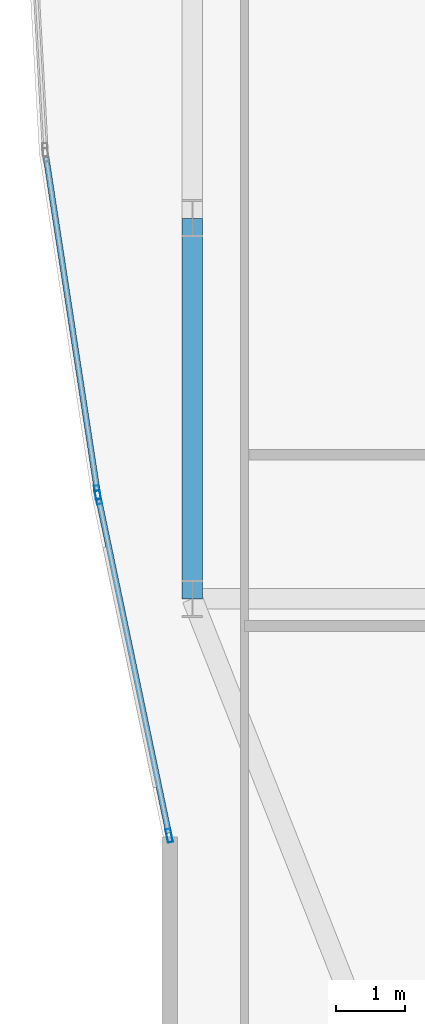
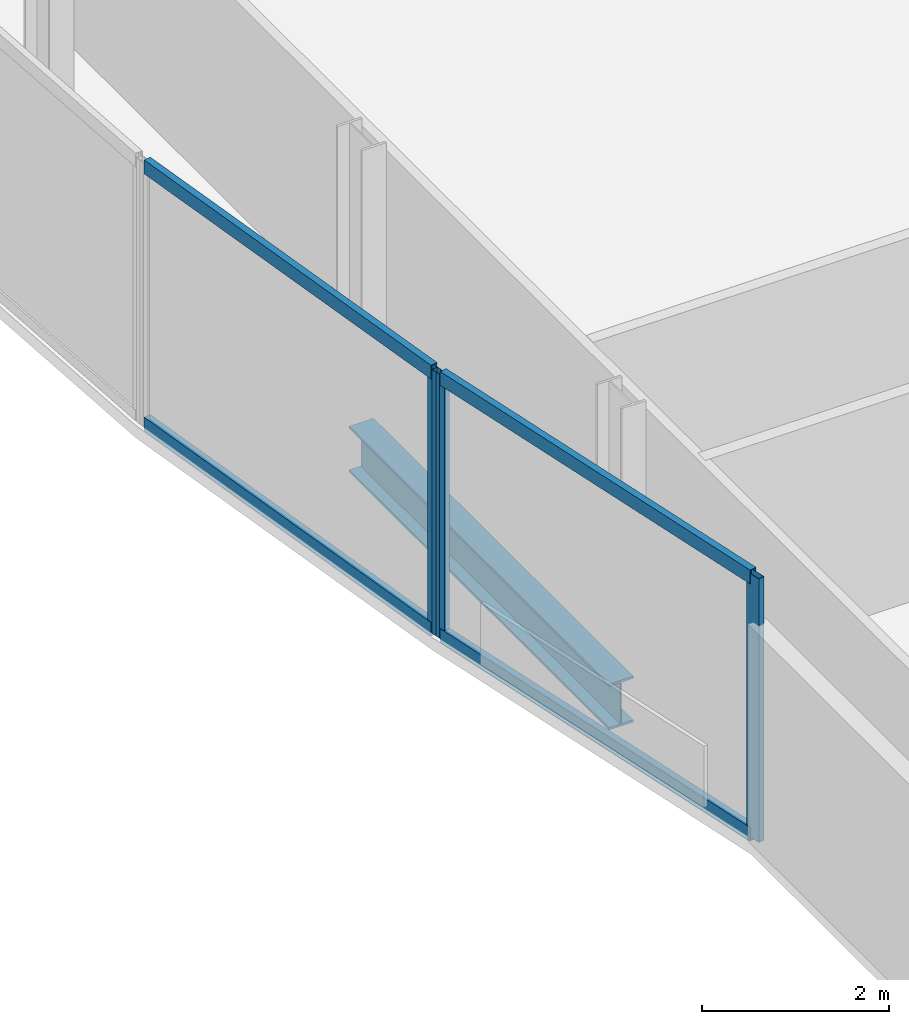
# One storey, part 6 of 33: 7 members, 1 beam, 2 elements without a shape of their own.
"""IFC4 building model written with IfcOpenShell, lengths in metres."""

from ifc_helpers import new_model, si_unit, direction, frame, origin, origin_2d, place, context, subcontext, project, spatial, hollow_rectangle, i_section, extrude, material, material_profile, profile_set, type_object, element, aggregate, save


model = new_model("IFC4")

# Units and contexts
model_context = context("Model", 3, precision=1e-05, world=origin(), true_north=direction((0.0, 1.0)))
body_context = subcontext(model_context, "Body", "Model", "MODEL_VIEW")
ifc_project = project(units=[si_unit("LENGTHUNIT", "METRE"), si_unit("AREAUNIT", "SQUARE_METRE"), si_unit("VOLUMEUNIT", "CUBIC_METRE"), si_unit("PLANEANGLEUNIT", "RADIAN"), si_unit("MASSUNIT", "GRAM", prefix="KILO")], contexts=[model_context])

# Site, building, storey
site_placement = place(None, origin())
site = spatial("IfcSite", under=ifc_project, at=site_placement, CompositionType="ELEMENT")
building_placement = place(site_placement, origin())
building = spatial("IfcBuilding", under=site, at=building_placement, Name="Khoronbel Lancet Exchange", CompositionType="ELEMENT")
storey_placement = place(building_placement, frame((0.0, 0.0, 114.60009765625)))
storey = spatial("IfcBuildingStorey", under=building, at=storey_placement, Name="L27", CompositionType="ELEMENT", Elevation=114.60009765625)

# Beam
ifc_material_1 = material(Name="Steel S355", Category="steel")
ifc_material_profile_1 = material_profile(ifc_material_1, i_section(OverallWidth=0.300048828125, OverallDepth=0.60009765625, WebThickness=0.015380859375, FlangeThickness=0.030029296875, at=origin_2d()), Name="HEB 600")
ifc_profile_set_1 = profile_set([ifc_material_profile_1], Name="Steel S355")
beam_type = type_object("IfcBeamType", Name="BM-BSP2", PredefinedType="SPANDREL", material=ifc_profile_set_1)
beam_placement = place(storey_placement, frame((3.27001953125, 24.75, -0.460205078125), z_axis=(0.0, -1.0, 0.0), x_axis=(1.0, 0.0, 0.0)))
element("IfcBeam", 1, at=beam_placement, inside=storey, type_object=beam_type, Name="Level L27 perimeter spandrel beam SP20", PredefinedType="SPANDREL", context=body_context, shape_type="SweptSolid", body=[
    extrude(i_section(OverallWidth=0.300048828125, OverallDepth=0.60009765625, WebThickness=0.015380859375, FlangeThickness=0.030029296875, at=origin_2d()), origin(), (0.0, 0.0, 1.0), 5.550048828125),
])

# Curtain wall, members
ifc_material_2 = material(Name="Low-E Solar Control Insulating Glass", Category="glass")
curtain_wall_type = type_object("IfcCurtainWallType", Name="CW-4", PredefinedType="NOTDEFINED", material=ifc_material_2)
curtain_wall_1_placement = place(storey_placement, origin())
curtain_wall_1 = element("IfcCurtainWall", 2, at=curtain_wall_1_placement, inside=storey, type_object=curtain_wall_type, Name="Unitised curtain wall CW-L27-E04", PredefinedType="NOTDEFINED")
ifc_material_3 = material(Name="Bronze-Anodised Aluminium 6063-T6", Category="aluminium")
ifc_material_profile_2 = material_profile(ifc_material_3, hollow_rectangle(XDim=0.074951171875, YDim=0.199951171875, WallThickness=0.0048828125, at=origin_2d()), Name="ALU MULLION 75x200")
ifc_profile_set_2 = profile_set([ifc_material_profile_2], Name="Bronze-Anodised Aluminium 6063-T6")
member_type_1 = type_object("IfcMemberType", Name="MEM-CWM2", PredefinedType="MULLION", material=ifc_profile_set_2)
member_1_placement = place(storey_placement, frame((2.932373046875, 15.74609375, 0.0), z_axis=(0.0, 0.0, 1.0), x_axis=(-0.978780231613, -0.204912806344, 0.0)))
member_1 = element("IfcMember", 3, at=member_1_placement, type_object=member_type_1, Name="CW4 mullion 1", PredefinedType="MULLION", context=body_context, shape_type="SweptSolid", body=[
    extrude(hollow_rectangle(XDim=0.074951171875, YDim=0.199951171875, WallThickness=0.0048828125, at=origin_2d()), origin(), (0.0, 0.0, 1.0), 3.43994140625),
])
member_2_placement = place(storey_placement, frame((1.8994140625, 20.679443359375, 0.0), z_axis=(0.0, 0.0, 1.0), x_axis=(-0.978780231613, -0.204912806344, 0.0)))
member_2 = element("IfcMember", 4, at=member_2_placement, type_object=member_type_1, Name="CW4 mullion 2", PredefinedType="MULLION", context=body_context, shape_type="SweptSolid", body=[
    extrude(hollow_rectangle(XDim=0.074951171875, YDim=0.199951171875, WallThickness=0.0048828125, at=origin_2d()), origin(), (0.0, 0.0, 1.0), 3.43994140625),
])

# Curtain wall, member
curtain_wall_2_placement = place(storey_placement, origin())
curtain_wall_2 = element("IfcCurtainWall", 5, at=curtain_wall_2_placement, inside=storey, type_object=curtain_wall_type, Name="Unitised curtain wall CW-L27-E05", PredefinedType="NOTDEFINED")
member_3_placement = place(storey_placement, frame((1.88623046875, 20.753173828125, 0.0), z_axis=(0.0, 0.0, 1.0), x_axis=(-0.988454851149, -0.151515699646, 0.0)))
member_3 = element("IfcMember", 6, at=member_3_placement, type_object=member_type_1, Name="CW4 mullion 1", PredefinedType="MULLION", context=body_context, shape_type="SweptSolid", body=[
    extrude(hollow_rectangle(XDim=0.074951171875, YDim=0.199951171875, WallThickness=0.0048828125, at=origin_2d()), origin(), (0.0, 0.0, 1.0), 3.43994140625),
])

# Member
ifc_material_profile_3 = material_profile(ifc_material_3, hollow_rectangle(XDim=0.0849609375, YDim=0.179931640625, WallThickness=0.0048828125, at=origin_2d()), Name="ALU TRANSOM 85x180")
ifc_profile_set_3 = profile_set([ifc_material_profile_3], Name="Bronze-Anodised Aluminium 6063-T6")
member_type_2 = type_object("IfcMemberType", Name="MEM-CWT1", PredefinedType="USERDEFINED", material=ifc_profile_set_3)
member_4_placement = place(storey_placement, frame((2.924560546875, 15.78271484375, 0.04248046875), z_axis=(-0.204892732653, 0.978784433931, 0.0), x_axis=(-0.978784433931, -0.204892732653, 0.0)))
member_4 = element("IfcMember", 7, at=member_4_placement, type_object=member_type_2, Name="CW4 transom 1.1", ObjectType="TRANSOM", PredefinedType="USERDEFINED", context=body_context, shape_type="SweptSolid", body=[
    extrude(hollow_rectangle(XDim=0.0849609375, YDim=0.179931640625, WallThickness=0.0048828125, at=origin_2d()), origin(), (0.0, 0.0, 1.0), 4.965087890625),
])

member_5_placement = place(storey_placement, frame((2.924560546875, 15.78271484375, 3.3974609375), z_axis=(-0.204892732653, 0.978784433931, 0.0), x_axis=(-0.978784433931, -0.204892732653, 0.0)))
member_5 = element("IfcMember", 8, at=member_5_placement, type_object=member_type_2, Name="CW4 transom 1.2", ObjectType="TRANSOM", PredefinedType="USERDEFINED", context=body_context, shape_type="SweptSolid", body=[
    extrude(hollow_rectangle(XDim=0.0849609375, YDim=0.179931640625, WallThickness=0.0048828125, at=origin_2d()), origin(), (0.0, 0.0, 1.0), 4.965087890625),
])

aggregate(curtain_wall_1, [member_1, member_2, member_4, member_5])

member_6_placement = place(storey_placement, frame((1.88037109375, 20.790283203125, 0.04248046875), z_axis=(-0.151518190758, 0.988454469295, 0.0), x_axis=(-0.988454469295, -0.151518190758, 0.0)))
member_6 = element("IfcMember", 9, at=member_6_placement, type_object=member_type_2, Name="CW4 transom 1.1", ObjectType="TRANSOM", PredefinedType="USERDEFINED", context=body_context, shape_type="SweptSolid", body=[
    extrude(hollow_rectangle(XDim=0.0849609375, YDim=0.179931640625, WallThickness=0.0048828125, at=origin_2d()), origin(), (0.0, 0.0, 1.0), 4.901611328125),
])

member_7_placement = place(storey_placement, frame((1.88037109375, 20.790283203125, 3.3974609375), z_axis=(-0.151518190758, 0.988454469295, 0.0), x_axis=(-0.988454469295, -0.151518190758, 0.0)))
member_7 = element("IfcMember", 10, at=member_7_placement, type_object=member_type_2, Name="CW4 transom 1.2", ObjectType="TRANSOM", PredefinedType="USERDEFINED", context=body_context, shape_type="SweptSolid", body=[
    extrude(hollow_rectangle(XDim=0.0849609375, YDim=0.179931640625, WallThickness=0.0048828125, at=origin_2d()), origin(), (0.0, 0.0, 1.0), 4.901611328125),
])

aggregate(curtain_wall_2, [member_3, member_6, member_7])

save(model, "model.ifc")
